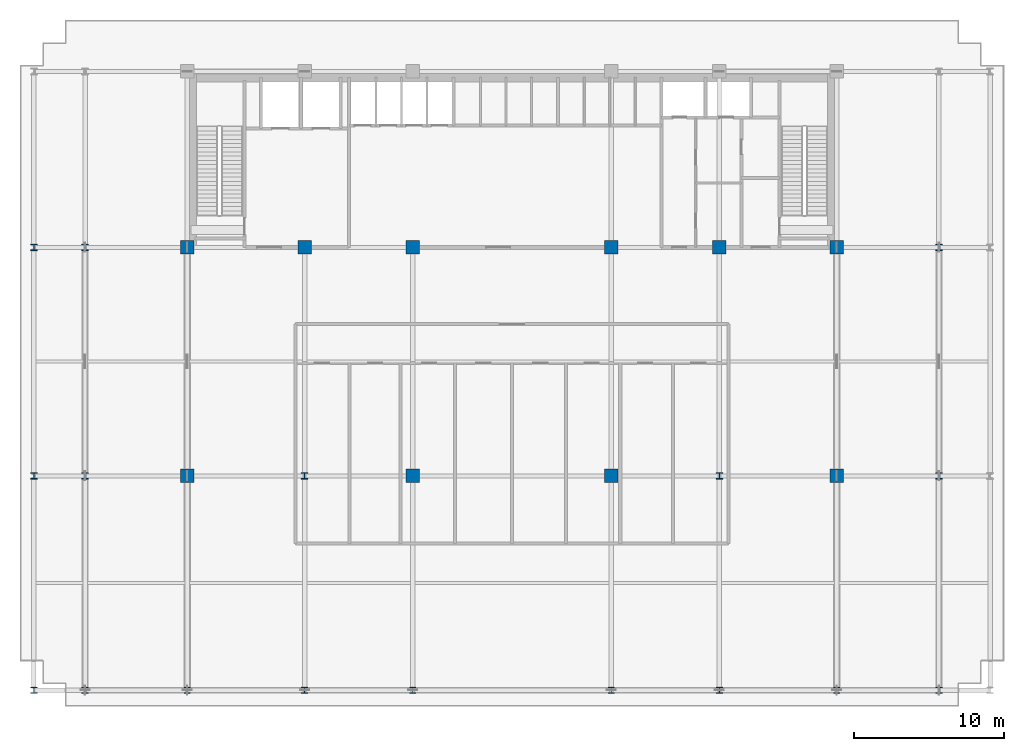
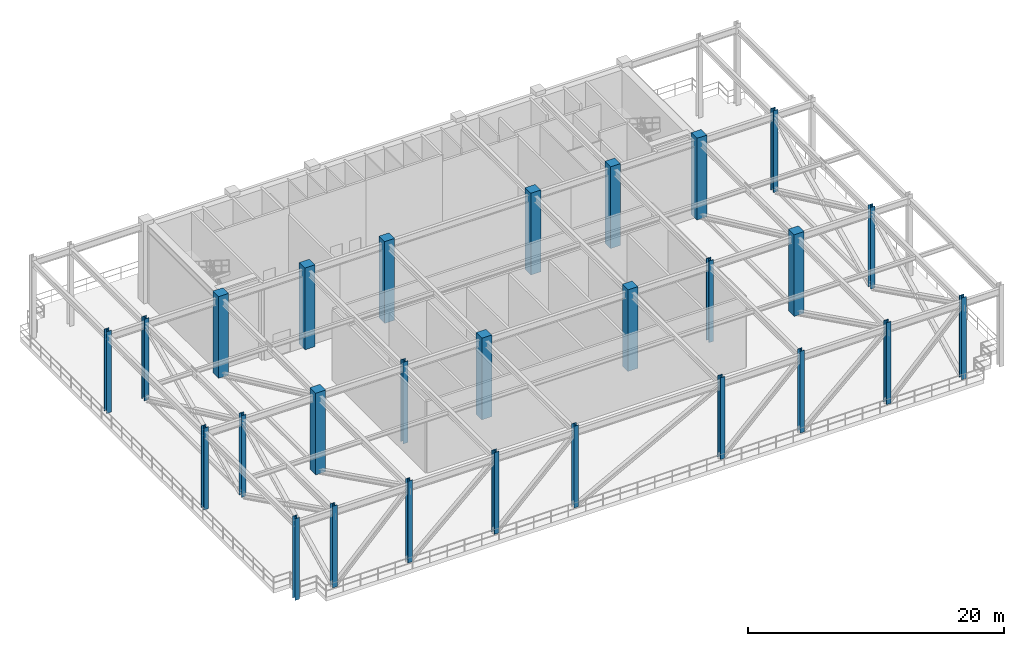
# One storey, part 1 of 16: 27 columns.
"""IFC4 building model written with IfcOpenShell, lengths in metres."""

from ifc_helpers import new_model, si_unit, direction, frame, origin, origin_2d, place, context, subcontext, project, spatial, rectangle, i_section, extrude, source, transform, mapped, material, material_profile, profile_set, type_object, element, save


model = new_model("IFC4")

# Units and contexts
model_context = context("Model", 3, precision=1e-05, world=origin(), true_north=direction((0.0, 1.0)))
body_context = subcontext(model_context, "Body", "Model", "MODEL_VIEW")
ifc_project = project(units=[si_unit("LENGTHUNIT", "METRE"), si_unit("AREAUNIT", "SQUARE_METRE"), si_unit("VOLUMEUNIT", "CUBIC_METRE"), si_unit("PLANEANGLEUNIT", "RADIAN"), si_unit("MASSUNIT", "GRAM", prefix="KILO")], contexts=[model_context])

# Site, building, storey
site_placement = place(None, origin())
site = spatial("IfcSite", under=ifc_project, at=site_placement, CompositionType="ELEMENT")
building_placement = place(site_placement, origin())
building = spatial("IfcBuilding", under=site, at=building_placement, Name="Trelvane Seafront Commons", CompositionType="ELEMENT")
storey_placement = place(building_placement, frame((0.0, 0.0, 73.89990234375)))
storey = spatial("IfcBuildingStorey", under=building, at=storey_placement, Name="L19", CompositionType="ELEMENT", Elevation=73.89990234375)

# Columns
ifc_material_1 = material(Name="Steel SM355 (S355)", Category="steel")
ifc_material_profile_1 = material_profile(ifc_material_1, i_section(OverallWidth=0.419921875, OverallDepth=0.419921875, WebThickness=0.02587890625, FlangeThickness=0.0400390625, at=origin_2d()), Name="HD-420x420x26x40")
ifc_profile_set_1 = profile_set([ifc_material_profile_1], Name="Steel SM355 (S355)")
column_type_1 = type_object("IfcColumnType", Name="STR-COL-HD420", PredefinedType="COLUMN", material=ifc_profile_set_1)
shared_shape_1 = source(origin(), body_context, "Body", "SweptSolid", [
    extrude(i_section(OverallWidth=0.419921875, OverallDepth=0.419921875, WebThickness=0.02587890625, FlangeThickness=0.0400390625, at=origin_2d()), origin(), (0.0, 0.0, 1.0), 7.800048828125),
])
for number, where, z_axis, x_axis, name in (
    (1, (5.39990234375, 3.949951171875, 0.0), (0.0, 0.0, 1.0), (1.0, 0.0, 0.0), "L19 Column TC-S5.4"),
    (2, (5.39990234375, 18.199951171875, 0.0), (0.0, 0.0, 1.0), (1.0, 0.0, 0.0), "L19 Column TC-M5.4"),
    (3, (5.39990234375, 33.39990234375, 0.0), (0.0, 0.0, 1.0), (1.0, 0.0, 0.0), "L19 Column TC-CS5.4"),
    (4, (8.800048828125, 3.949951171875, 0.0), (0.0, 0.0, 1.0), (1.0, 0.0, 0.0), "L19 Column TC-S8.8"),
    (5, (8.800048828125, 18.199951171875, 0.0), (0.0, 0.0, 1.0), (1.0, 0.0, 0.0), "L19 Column TC-M8.8"),
    (6, (8.800048828125, 33.39990234375, 0.0), (0.0, 0.0, 1.0), (1.0, 0.0, 0.0), "L19 Column TC-CS8.8"),
    (7, (15.60009765625, 3.949951171875, 0.0), (0.0, 0.0, 1.0), (1.0, 0.0, 0.0), "L19 Column TC-S15.6"),
    (8, (23.39990234375, 3.949951171875, 0.0), (0.0, 0.0, 1.0), (1.0, 0.0, 0.0), "L19 Column TC-S23.4"),
    (9, (23.39990234375, 18.199951171875, 0.0), (0.0, 0.0, 1.0), (1.0, 0.0, 0.0), "L19 Column TC-M23.4"),
    (10, (30.60009765625, 3.949951171875, 0.0), (0.0, 0.0, 1.0), (1.0, 0.0, 0.0), "L19 Column TC-S30.6"),
    (11, (43.800048828125, 3.949951171875, 0.0), (0.0, 0.0, 1.0), (1.0, 0.0, 0.0), "L19 Column TC-S43.8"),
    (12, (51.0, 3.949951171875, 0.0), (0.0, 0.0, 1.0), (1.0, 0.0, 0.0), "L19 Column TC-S51.0"),
    (13, (51.0, 18.199951171875, 0.0), (0.0, 0.0, 1.0), (1.0, 0.0, 0.0), "L19 Column TC-M51.0"),
    (14, (58.800048828125, 3.949951171875, 0.0), (0.0, 0.0, 1.0), (1.0, 0.0, 0.0), "L19 Column TC-S58.8"),
    (15, (65.60009765625, 3.949951171875, 0.0), (0.0, 0.0, 1.0), (1.0, 0.0, 0.0), "L19 Column TC-S65.6"),
    (16, (65.60009765625, 18.199951171875, 0.0), (0.0, 0.0, 1.0), (1.0, 0.0, 0.0), "L19 Column TC-M65.6"),
    (17, (65.60009765625, 33.39990234375, 0.0), (0.0, 0.0, 1.0), (1.0, 0.0, 0.0), "L19 Column TC-CS65.6"),
):
    element("IfcColumn", number, at=place(storey_placement, frame(where, z_axis=z_axis, x_axis=x_axis)), inside=storey, type_object=column_type_1, Name=name, PredefinedType="COLUMN", context=body_context, shape_type="MappedRepresentation", body=[
        mapped(shared_shape_1, transform((0.0, 0.0, 0.0), x_axis=(1.0, 0.0, 0.0), y_axis=(0.0, 1.0, 0.0), z_axis=(0.0, 0.0, 1.0), scale=1.0)),
    ])
ifc_material_2 = material(Name="Concrete C60/75", Category="concrete")
ifc_material_profile_2 = material_profile(ifc_material_2, rectangle(XDim=0.89990234375, YDim=0.89990234375, at=origin_2d()), Name="RC-900x900")
ifc_profile_set_2 = profile_set([ifc_material_profile_2], Name="Concrete C60/75")
column_type_2 = type_object("IfcColumnType", Name="STR-COL-RC900", PredefinedType="COLUMN", material=ifc_profile_set_2)
shared_shape_2 = source(origin(), body_context, "Body", "SweptSolid", [
    extrude(rectangle(XDim=0.89990234375, YDim=0.89990234375, at=origin_2d()), origin(), (0.0, 0.0, 1.0), 7.800048828125),
])
for number, where, z_axis, x_axis, name in (
    (18, (15.60009765625, 18.199951171875, 0.0), (0.0, 0.0, 1.0), (1.0, 0.0, 0.0), "L19 Column TC-M15.6"),
    (19, (15.60009765625, 33.39990234375, 0.0), (0.0, 0.0, 1.0), (1.0, 0.0, 0.0), "L19 Column TC-CS15.6"),
    (20, (23.39990234375, 33.39990234375, 0.0), (0.0, 0.0, 1.0), (1.0, 0.0, 0.0), "L19 Column TC-CS23.4"),
    (21, (30.60009765625, 18.199951171875, 0.0), (0.0, 0.0, 1.0), (1.0, 0.0, 0.0), "L19 Column TC-M30.6"),
    (22, (30.60009765625, 33.39990234375, 0.0), (0.0, 0.0, 1.0), (1.0, 0.0, 0.0), "L19 Column TC-CS30.6"),
    (23, (43.800048828125, 18.199951171875, 0.0), (0.0, 0.0, 1.0), (1.0, 0.0, 0.0), "L19 Column TC-M43.8"),
    (24, (43.800048828125, 33.39990234375, 0.0), (0.0, 0.0, 1.0), (1.0, 0.0, 0.0), "L19 Column TC-CS43.8"),
    (25, (51.0, 33.39990234375, 0.0), (0.0, 0.0, 1.0), (1.0, 0.0, 0.0), "L19 Column TC-CS51.0"),
    (26, (58.800048828125, 18.199951171875, 0.0), (0.0, 0.0, 1.0), (1.0, 0.0, 0.0), "L19 Column TC-M58.8"),
    (27, (58.800048828125, 33.39990234375, 0.0), (0.0, 0.0, 1.0), (1.0, 0.0, 0.0), "L19 Column TC-CS58.8"),
):
    element("IfcColumn", number, at=place(storey_placement, frame(where, z_axis=z_axis, x_axis=x_axis)), inside=storey, type_object=column_type_2, Name=name, PredefinedType="COLUMN", context=body_context, shape_type="MappedRepresentation", body=[
        mapped(shared_shape_2, transform((0.0, 0.0, 0.0), x_axis=(1.0, 0.0, 0.0), y_axis=(0.0, 1.0, 0.0), z_axis=(0.0, 0.0, 1.0), scale=1.0)),
    ])

save(model, "model.ifc")
